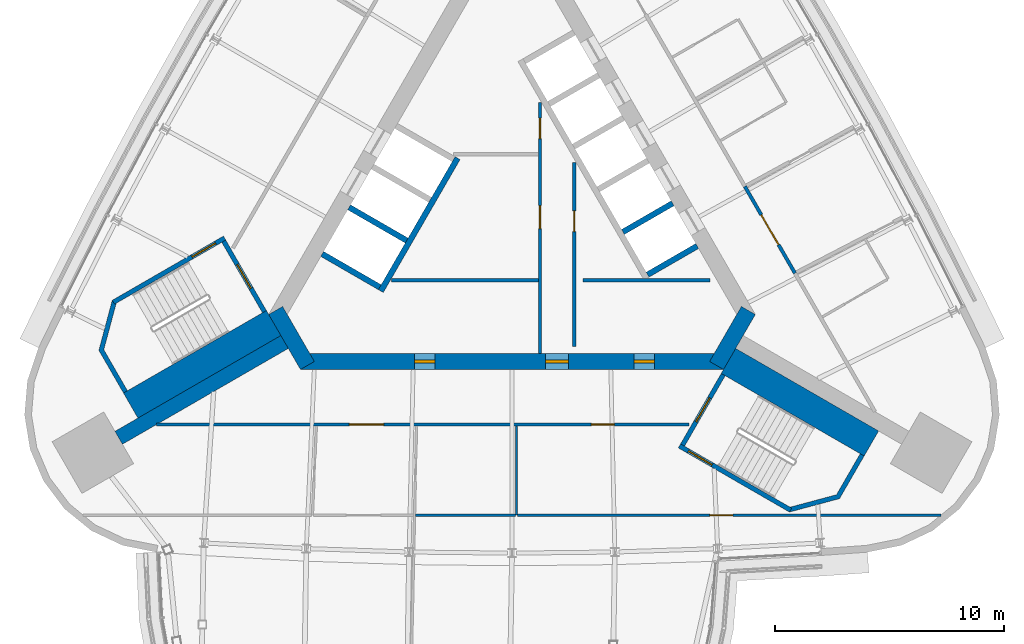
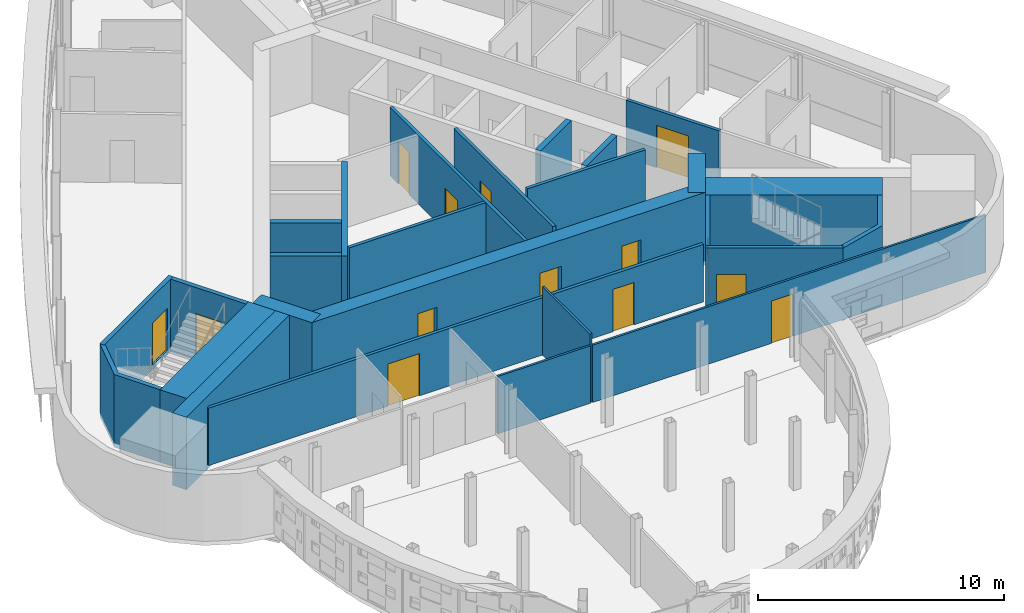
# One storey, part 9 of 14: 26 walls, 14 doors, 14 openings.
"""IFC4 building model written with IfcOpenShell, lengths in metres."""

from ifc_helpers import new_model, si_unit, direction, frame, frame_2d, origin, place, context, subcontext, project, spatial, polyline, rectangle, outline, extrude, material, layer, layer_set, type_object, element, fill, save


model = new_model("IFC4")

# Units and contexts
model_context = context("Model", 3, precision=1e-05, world=origin(), true_north=direction((0.0, 1.0)))
body_context = subcontext(model_context, "Body", "Model", "MODEL_VIEW")
ifc_project = project(units=[si_unit("LENGTHUNIT", "METRE"), si_unit("AREAUNIT", "SQUARE_METRE"), si_unit("VOLUMEUNIT", "CUBIC_METRE"), si_unit("PLANEANGLEUNIT", "RADIAN"), si_unit("MASSUNIT", "GRAM", prefix="KILO")], contexts=[model_context])

# Site, building, storey
site_placement = place(None, origin())
site = spatial("IfcSite", under=ifc_project, at=site_placement, CompositionType="ELEMENT")
building_placement = place(site_placement, origin())
building = spatial("IfcBuilding", under=site, at=building_placement, Name="Noor Cloister Tower", CompositionType="ELEMENT")
storey_placement = place(building_placement, frame((0.0, 0.0, 222.0)))
storey = spatial("IfcBuildingStorey", under=building, at=storey_placement, Name="L57", CompositionType="ELEMENT", Elevation=222.0)

# Walls
ifc_material_1 = material(Name="Concrete C60/75", Category="concrete")
ifc_layer_1 = layer(ifc_material_1, 0.64990234375)
ifc_layer_set_1 = layer_set([ifc_layer_1], Name="Buttress wall 650 C60/75")
wall_type_1 = type_object("IfcWallType", Name="Buttress wall 650 C60/75", PredefinedType="SHEAR", material=ifc_layer_set_1)
wall_1_placement = place(storey_placement, frame((-9.921630859375, -5.728271484375, -0.199951171875), z_axis=(0.0, 0.0, 1.0), x_axis=(-0.866030911543, -0.499990460161, 0.0)))
element("IfcWall", 1, at=wall_1_placement, inside=storey, type_object=wall_type_1, Name="Buttress wall SW L57", PredefinedType="SHEAR", context=body_context, shape_type="SweptSolid", body=[
    extrude(rectangle(XDim=8.358642578125, YDim=0.64990234375, at=frame_2d((4.17919921875, 0.0))), origin(), (0.0, 0.0, 1.0), 3.599853515625),
])
ifc_material_2 = material(Name="Concrete C30/37", Category="concrete")
ifc_layer_2 = layer(ifc_material_2, 0.14990234375)
ifc_layer_set_2 = layer_set([ifc_layer_2], Name="Core partition 150 C30/37")
wall_type_2 = type_object("IfcWallType", Name="Core partition 150 C30/37", PredefinedType="PARTITIONING", material=ifc_layer_set_2)
wall_2_placement = place(storey_placement, frame((-5.2578125, -3.0283203125, 0.0), z_axis=(0.0, 0.0, 1.0), x_axis=(1.0, 0.0, 0.0)))
element("IfcWall", 2, at=wall_2_placement, inside=storey, type_object=wall_type_2, Name="Core room partition L57 1", PredefinedType="PARTITIONING", context=body_context, shape_type="SweptSolid", body=[
    extrude(rectangle(XDim=6.404052734375, YDim=0.14990234375, at=frame_2d((3.2021484375, 0.0))), origin(), (0.0, 0.0, 1.0), 3.39990234375),
])

# Wall, openings, doors
wall_3_placement = place(storey_placement, frame((1.22119140625, 4.711181640625, 0.0), z_axis=(0.0, 0.0, 1.0), x_axis=(0.0, -1.0, 0.0)))
wall_3 = element("IfcWall", 3, at=wall_3_placement, inside=storey, type_object=wall_type_2, Name="Core room partition L57 3", PredefinedType="PARTITIONING", context=body_context, shape_type="SweptSolid", body=[
    extrude(rectangle(XDim=10.939453125, YDim=0.14990234375, at=frame_2d((5.4697265625, 0.0))), origin(), (0.0, 0.0, 1.0), 3.39990234375),
])
opening_1_placement = place(wall_3_placement, frame((4.4892578125, 0.0, 0.0)))
opening_1 = element("IfcOpeningElement", 4, at=opening_1_placement, cuts=wall_3, Name="Opening L57-904", PredefinedType="OPENING", context=body_context, shape_type="SweptSolid", body=[
    extrude(rectangle(XDim=1.0, YDim=2.10009765625, at=frame_2d((0.5, 1.050048828125))), frame((0.0, 0.0849609375, 0.0), z_axis=(0.0, -1.0, 0.0), x_axis=(1.0, 0.0, 0.0)), (0.0, 0.0, 1.0), 0.169921875),
])
opening_2_placement = place(wall_3_placement, frame((0.670654296875, 0.0, 0.0)))
opening_2 = element("IfcOpeningElement", 5, at=opening_2_placement, cuts=wall_3, Name="Opening L57-906", PredefinedType="OPENING", context=body_context, shape_type="SweptSolid", body=[
    extrude(rectangle(XDim=0.89990234375, YDim=2.10009765625, at=frame_2d((0.449951171875, 1.050048828125))), frame((0.0, 0.0849609375, 0.0), z_axis=(0.0, -1.0, 0.0), x_axis=(1.0, 0.0, 0.0)), (0.0, 0.0, 1.0), 0.169921875),
])
ifc_material_3 = material(Name="Steel", Category="steel")
door_type_1 = type_object("IfcDoorType", Name="Core door 1000 x 2100 FD60", OperationType="SINGLE_SWING_LEFT", PredefinedType="DOOR", material=ifc_material_3)
door_1_placement = place(opening_1_placement, origin())
door_1 = element("IfcDoor", 6, at=door_1_placement, inside=storey, type_object=door_type_1, Name="Core door 4 L57", OperationType="SINGLE_SWING_RIGHT", OverallHeight=2.10009765625, OverallWidth=1.0, PredefinedType="DOOR", context=body_context, shape_type="SweptSolid", body=[
    extrude(rectangle(XDim=1.0, YDim=2.10009765625, at=frame_2d((0.5, 1.050048828125))), frame((0.0, 0.02490234375, 0.0), z_axis=(0.0, -1.0, 0.0), x_axis=(1.0, 0.0, 0.0)), (0.0, 0.0, 1.0), 0.050048828125),
])
fill(opening_1, door_1)
ifc_material_4 = material(Name="Steel", Category="steel")
door_type_2 = type_object("IfcDoorType", Name="Core door 900 x 2100 FD120", OperationType="SINGLE_SWING_LEFT", PredefinedType="DOOR", material=ifc_material_4)
door_2_placement = place(opening_2_placement, origin())
door_2 = element("IfcDoor", 7, at=door_2_placement, inside=storey, type_object=door_type_2, Name="Core door 6 L57", OperationType="SINGLE_SWING_RIGHT", OverallHeight=2.10009765625, OverallWidth=0.89990234375, PredefinedType="DOOR", context=body_context, shape_type="SweptSolid", body=[
    extrude(rectangle(XDim=0.89990234375, YDim=2.10009765625, at=frame_2d((0.449951171875, 1.050048828125))), frame((0.0, 0.02490234375, 0.0), z_axis=(0.0, -1.0, 0.0), x_axis=(1.0, 0.0, 0.0)), (0.0, 0.0, 1.0), 0.050048828125),
])
fill(opening_2, door_2)

# Wall, opening, door
wall_4_placement = place(storey_placement, frame((2.72119140625, -5.92822265625, 0.0), z_axis=(0.0, 0.0, 1.0), x_axis=(0.0, 1.0, 0.0)))
wall_4 = element("IfcWall", 8, at=wall_4_placement, inside=storey, type_object=wall_type_2, Name="Core room partition L57 4", PredefinedType="PARTITIONING", context=body_context, shape_type="SweptSolid", body=[
    extrude(rectangle(XDim=8.041259765625, YDim=0.14990234375, at=frame_2d((4.0205078125, 0.0))), origin(), (0.0, 0.0, 1.0), 3.39990234375),
])
opening_3_placement = place(wall_4_placement, frame((5.01953125, 0.0, 0.0)))
opening_3 = element("IfcOpeningElement", 9, at=opening_3_placement, cuts=wall_4, Name="Opening L57-905", PredefinedType="OPENING", context=body_context, shape_type="SweptSolid", body=[
    extrude(rectangle(XDim=0.89990234375, YDim=2.10009765625, at=frame_2d((0.449951171875, 1.050048828125))), frame((0.0, 0.0849609375, 0.0), z_axis=(0.0, -1.0, 0.0), x_axis=(1.0, 0.0, 0.0)), (0.0, 0.0, 1.0), 0.169921875),
])
ifc_material_5 = material(Name="Steel", Category="steel")
door_type_3 = type_object("IfcDoorType", Name="Core door 900 x 2100 FD60", OperationType="SINGLE_SWING_LEFT", PredefinedType="DOOR", material=ifc_material_5)
door_3_placement = place(opening_3_placement, origin())
door_3 = element("IfcDoor", 10, at=door_3_placement, inside=storey, type_object=door_type_3, Name="Core door 5 L57", OperationType="SINGLE_SWING_LEFT", OverallHeight=2.10009765625, OverallWidth=0.89990234375, PredefinedType="DOOR", context=body_context, shape_type="SweptSolid", body=[
    extrude(rectangle(XDim=0.89990234375, YDim=2.10009765625, at=frame_2d((0.449951171875, 1.050048828125))), frame((0.0, 0.02490234375, 0.0), z_axis=(0.0, -1.0, 0.0), x_axis=(1.0, 0.0, 0.0)), (0.0, 0.0, 1.0), 0.050048828125),
])
fill(opening_3, door_3)

# Wall
wall_5_placement = place(storey_placement, frame((3.09619140625, -3.0283203125, 0.0), z_axis=(0.0, 0.0, 1.0), x_axis=(1.0, 0.0, 0.0)))
element("IfcWall", 11, at=wall_5_placement, inside=storey, type_object=wall_type_2, Name="Core room partition L57 5", PredefinedType="PARTITIONING", context=body_context, shape_type="SweptSolid", body=[
    extrude(rectangle(XDim=5.543701171875, YDim=0.14990234375, at=frame_2d((2.77197265625, 0.0))), origin(), (0.0, 0.0, 1.0), 3.39990234375),
])

# Wall, openings, doors
ifc_material_6 = material(Name="Concrete C60/75", Category="concrete")
ifc_layer_3 = layer(ifc_material_6, 0.699951171875)
ifc_layer_set_3 = layer_set([ifc_layer_3], Name="Core wall 700 C60/75")
wall_type_3 = type_object("IfcWallType", Name="Core wall 700 C60/75", PredefinedType="SHEAR", material=ifc_layer_set_3)
wall_6_placement = place(storey_placement, frame((-9.228759765625, -6.578125, -0.199951171875), z_axis=(0.0, 0.0, 1.0), x_axis=(1.0, 0.0, 0.0)))
wall_6 = element("IfcWall", 12, at=wall_6_placement, inside=storey, type_object=wall_type_3, Name="Core wall L57 1", PredefinedType="SHEAR", context=body_context, shape_type="SweptSolid", body=[
    extrude(rectangle(XDim=18.45751953125, YDim=0.699951171875, at=frame_2d((9.228759765625, 0.0))), origin(), (0.0, 0.0, 1.0), 3.599853515625),
])
opening_4_placement = place(wall_6_placement, frame((10.699951171875, 0.0, 0.199951171875)))
opening_4 = element("IfcOpeningElement", 13, at=opening_4_placement, cuts=wall_6, Name="Opening L57-901", PredefinedType="OPENING", context=body_context, shape_type="SweptSolid", body=[
    extrude(rectangle(XDim=1.0, YDim=2.10009765625, at=frame_2d((0.5, 1.050048828125))), frame((0.0, 0.35986328125, 0.0), z_axis=(0.0, -1.0, 0.0), x_axis=(1.0, 0.0, 0.0)), (0.0, 0.0, 1.0), 0.719970703125),
])
opening_5_placement = place(wall_6_placement, frame((4.97705078125, 0.0, 0.199951171875)))
opening_5 = element("IfcOpeningElement", 14, at=opening_5_placement, cuts=wall_6, Name="Opening L57-902", PredefinedType="OPENING", context=body_context, shape_type="SweptSolid", body=[
    extrude(rectangle(XDim=0.89990234375, YDim=2.10009765625, at=frame_2d((0.449951171875, 1.050048828125))), frame((0.0, 0.35986328125, 0.0), z_axis=(0.0, -1.0, 0.0), x_axis=(1.0, 0.0, 0.0)), (0.0, 0.0, 1.0), 0.719970703125),
])
opening_6_placement = place(wall_6_placement, frame((14.551513671875, 0.0, 0.199951171875)))
opening_6 = element("IfcOpeningElement", 15, at=opening_6_placement, cuts=wall_6, Name="Opening L57-903", PredefinedType="OPENING", context=body_context, shape_type="SweptSolid", body=[
    extrude(rectangle(XDim=0.89990234375, YDim=2.10009765625, at=frame_2d((0.449951171875, 1.050048828125))), frame((0.0, 0.35986328125, 0.0), z_axis=(0.0, -1.0, 0.0), x_axis=(1.0, 0.0, 0.0)), (0.0, 0.0, 1.0), 0.719970703125),
])
ifc_material_7 = material(Name="Steel", Category="steel")
door_type_4 = type_object("IfcDoorType", Name="Core door 1000 x 2100 FD120", OperationType="SINGLE_SWING_LEFT", PredefinedType="DOOR", material=ifc_material_7)
door_4_placement = place(opening_4_placement, origin())
door_4 = element("IfcDoor", 16, at=door_4_placement, inside=storey, type_object=door_type_4, Name="Core door 1 L57", OperationType="SINGLE_SWING_LEFT", OverallHeight=2.10009765625, OverallWidth=1.0, PredefinedType="DOOR", context=body_context, shape_type="SweptSolid", body=[
    extrude(rectangle(XDim=1.0, YDim=2.10009765625, at=frame_2d((0.5, 1.050048828125))), frame((0.0, 0.074951171875, 0.0), z_axis=(0.0, -1.0, 0.0), x_axis=(1.0, 0.0, 0.0)), (0.0, 0.0, 1.0), 0.14990234375),
])
fill(opening_4, door_4)
door_5_placement = place(opening_5_placement, origin())
door_5 = element("IfcDoor", 17, at=door_5_placement, inside=storey, type_object=door_type_2, Name="Core door 2 L57", OperationType="SINGLE_SWING_RIGHT", OverallHeight=2.10009765625, OverallWidth=0.89990234375, PredefinedType="DOOR", context=body_context, shape_type="SweptSolid", body=[
    extrude(rectangle(XDim=0.89990234375, YDim=2.10009765625, at=frame_2d((0.449951171875, 1.050048828125))), frame((0.0, 0.074951171875, 0.0), z_axis=(0.0, -1.0, 0.0), x_axis=(1.0, 0.0, 0.0)), (0.0, 0.0, 1.0), 0.14990234375),
])
fill(opening_5, door_5)
door_6_placement = place(opening_6_placement, origin())
door_6 = element("IfcDoor", 18, at=door_6_placement, inside=storey, type_object=door_type_2, Name="Core door 3 L57", OperationType="SINGLE_SWING_LEFT", OverallHeight=2.10009765625, OverallWidth=0.89990234375, PredefinedType="DOOR", context=body_context, shape_type="SweptSolid", body=[
    extrude(rectangle(XDim=0.89990234375, YDim=2.10009765625, at=frame_2d((0.449951171875, 1.050048828125))), frame((0.0, 0.074951171875, 0.0), z_axis=(0.0, -1.0, 0.0), x_axis=(1.0, 0.0, 0.0)), (0.0, 0.0, 1.0), 0.14990234375),
])
fill(opening_6, door_6)

# Walls
for number, where, z_axis, x_axis, name in (
    (19, (8.925537109375, -6.753173828125, -0.199951171875), (0.0, 0.0, 1.0), (0.500042739161, 0.866000726912, 0.0), "Core wall L57 2"),
    (20, (-10.311279296875, -4.353271484375, -0.199951171875), (0.0, 0.0, 1.0), (0.500042739161, -0.866000726912, 0.0), "Core wall L57 6"),
):
    element("IfcWall", number, at=place(storey_placement, frame(where, z_axis=z_axis, x_axis=x_axis)), inside=storey, type_object=wall_type_3, Name=name, PredefinedType="SHEAR", context=body_context, shape_type="SweptSolid", body=[
        extrude(rectangle(XDim=2.771240234375, YDim=0.699951171875, at=frame_2d((1.3857421875, 0.0))), origin(), (0.0, 0.0, 1.0), 3.599853515625),
    ])

# Wall, opening, door
ifc_material_8 = material(Name="Gypsum board partition on steel studs, 150 mm", Category="steel")
ifc_layer_4 = layer(ifc_material_8, 0.14990234375)
ifc_layer_set_4 = layer_set([ifc_layer_4], Name="Flat wall 150")
wall_type_4 = type_object("IfcWallType", Name="Flat wall 150", PredefinedType="PARTITIONING", material=ifc_layer_set_4)
wall_7_placement = place(storey_placement, frame((12.3447265625, -2.725341796875, 0.0), z_axis=(0.0, 0.0, 1.0), x_axis=(-0.49999822179, 0.866026430432, 0.0)))
wall_7 = element("IfcWall", 21, at=wall_7_placement, inside=storey, type_object=wall_type_4, Name="Wall L57-W05", PredefinedType="PARTITIONING", context=body_context, shape_type="SweptSolid", body=[
    extrude(rectangle(XDim=4.3681640625, YDim=0.14990234375, at=frame_2d((2.18408203125, 0.0))), origin(), (0.0, 0.0, 1.0), 2.85205078125),
])
opening_7_placement = place(wall_7_placement, frame((1.434326171875, 0.0, 0.0)))
opening_7 = element("IfcOpeningElement", 22, at=opening_7_placement, cuts=wall_7, Name="Opening L57-001", PredefinedType="OPENING", context=body_context, shape_type="SweptSolid", body=[
    extrude(rectangle(XDim=1.5, YDim=2.10009765625, at=frame_2d((0.75, 1.050048828125))), frame((0.0, 0.0849609375, 0.0), z_axis=(0.0, -1.0, 0.0), x_axis=(1.0, 0.0, 0.0)), (0.0, 0.0, 1.0), 0.169921875),
])
ifc_material_9 = material(Name="Timber door leaf with steel frame", Category="steel")
door_type_5 = type_object("IfcDoorType", Name="Double door 1500 FD60", OperationType="NOTDEFINED", PredefinedType="DOOR", material=ifc_material_9)
door_7_placement = place(opening_7_placement, origin())
door_7 = element("IfcDoor", 23, at=door_7_placement, inside=storey, type_object=door_type_5, Name="Door L57-001", OperationType="DOUBLE_DOOR_SINGLE_SWING", OverallHeight=2.10009765625, OverallWidth=1.5, PredefinedType="DOOR", context=body_context, shape_type="SweptSolid", body=[
    extrude(rectangle(XDim=1.5, YDim=2.10009765625, at=frame_2d((0.75, 1.050048828125))), frame((0.0, 0.02490234375, 0.0), z_axis=(0.0, -1.0, 0.0), x_axis=(1.0, 0.0, 0.0)), (0.0, 0.0, 1.0), 0.050048828125),
])
fill(opening_7, door_7)

# Wall, openings, doors
wall_8_placement = place(storey_placement, frame((-15.5068359375, -9.328125, 0.0), z_axis=(0.0, 0.0, 1.0), x_axis=(1.0, 0.0, 0.0)))
wall_8 = element("IfcWall", 24, at=wall_8_placement, inside=storey, type_object=wall_type_4, Name="Wall L57-W13", PredefinedType="PARTITIONING", context=body_context, shape_type="SweptSolid", body=[
    extrude(rectangle(XDim=23.234375, YDim=0.14990234375, at=frame_2d((11.6171875, 0.0))), origin(), (0.0, 0.0, 1.0), 2.85205078125),
])
opening_8_placement = place(wall_8_placement, frame((8.408447265625, 0.0, 0.0)))
opening_8 = element("IfcOpeningElement", 25, at=opening_8_placement, cuts=wall_8, Name="Opening L57-008", PredefinedType="OPENING", context=body_context, shape_type="SweptSolid", body=[
    extrude(rectangle(XDim=1.5, YDim=2.10009765625, at=frame_2d((0.75, 1.050048828125))), frame((0.0, 0.0849609375, 0.0), z_axis=(0.0, -1.0, 0.0), x_axis=(1.0, 0.0, 0.0)), (0.0, 0.0, 1.0), 0.169921875),
])
opening_9_placement = place(wall_8_placement, frame((18.970703125, 0.0, 0.0)))
opening_9 = element("IfcOpeningElement", 26, at=opening_9_placement, cuts=wall_8, Name="Opening L57-012", PredefinedType="OPENING", context=body_context, shape_type="SweptSolid", body=[
    extrude(rectangle(XDim=1.0, YDim=2.10009765625, at=frame_2d((0.5, 1.050048828125))), frame((0.0, 0.0849609375, 0.0), z_axis=(0.0, -1.0, 0.0), x_axis=(1.0, 0.0, 0.0)), (0.0, 0.0, 1.0), 0.169921875),
])
door_8_placement = place(opening_8_placement, origin())
door_8 = element("IfcDoor", 27, at=door_8_placement, inside=storey, type_object=door_type_5, Name="Door L57-008", OperationType="DOUBLE_DOOR_SINGLE_SWING", OverallHeight=2.10009765625, OverallWidth=1.5, PredefinedType="DOOR", context=body_context, shape_type="SweptSolid", body=[
    extrude(rectangle(XDim=1.5, YDim=2.10009765625, at=frame_2d((0.75, 1.050048828125))), frame((0.0, 0.02490234375, 0.0), z_axis=(0.0, -1.0, 0.0), x_axis=(1.0, 0.0, 0.0)), (0.0, 0.0, 1.0), 0.050048828125),
])
fill(opening_8, door_8)
ifc_material_10 = material(Name="Timber door leaf with steel frame", Category="steel")
door_type_6 = type_object("IfcDoorType", Name="Interior door 1000 FD60", OperationType="NOTDEFINED", PredefinedType="DOOR", material=ifc_material_10)
door_9_placement = place(opening_9_placement, origin())
door_9 = element("IfcDoor", 28, at=door_9_placement, inside=storey, type_object=door_type_6, Name="Door L57-012", OperationType="SINGLE_SWING_RIGHT", OverallHeight=2.10009765625, OverallWidth=1.0, PredefinedType="DOOR", context=body_context, shape_type="SweptSolid", body=[
    extrude(rectangle(XDim=1.0, YDim=2.10009765625, at=frame_2d((0.5, 1.050048828125))), frame((0.0, 0.02490234375, 0.0), z_axis=(0.0, -1.0, 0.0), x_axis=(1.0, 0.0, 0.0)), (0.0, 0.0, 1.0), 0.050048828125),
])
fill(opening_9, door_9)

# Walls
ifc_material_11 = material(Name="Gypsum board partition on steel studs, 100 mm", Category="steel")
ifc_layer_5 = layer(ifc_material_11, 0.10009765625)
ifc_layer_set_5 = layer_set([ifc_layer_5], Name="Partition 100")
wall_type_5 = type_object("IfcWallType", Name="Partition 100", PredefinedType="PARTITIONING", material=ifc_layer_set_5)
wall_9_placement = place(storey_placement, frame((0.199951171875, -9.4033203125, 0.0), z_axis=(0.0, 0.0, 1.0), x_axis=(0.0, -1.0, 0.0)))
element("IfcWall", 29, at=wall_9_placement, inside=storey, type_object=wall_type_5, Name="Wall L57-W16", PredefinedType="PARTITIONING", context=body_context, shape_type="SweptSolid", body=[
    extrude(rectangle(XDim=3.879150390625, YDim=0.10009765625, at=frame_2d((1.939453125, 0.0))), origin(), (0.0, 0.0, 1.0), 3.39990234375),
])
wall_10_placement = place(storey_placement, frame((-4.201904296875, -13.282470703125, 0.0), z_axis=(0.0, 0.0, 1.0), x_axis=(1.0, 0.0, 0.0)))
element("IfcWall", 30, at=wall_10_placement, inside=storey, type_object=wall_type_5, Name="Wall L57-W19", PredefinedType="PARTITIONING", context=body_context, shape_type="SweptSolid", body=[
    extrude(rectangle(XDim=4.351806640625, YDim=0.10009765625, at=frame_2d((2.17578125, 0.0))), origin(), (0.0, 0.0, 1.0), 2.85205078125),
])

# Wall, opening, door
wall_11_placement = place(storey_placement, frame((0.25, -13.282470703125, 0.0), z_axis=(0.0, 0.0, 1.0), x_axis=(1.0, 0.0, 0.0)))
wall_11 = element("IfcWall", 31, at=wall_11_placement, inside=storey, type_object=wall_type_5, Name="Wall L57-W20", PredefinedType="PARTITIONING", context=body_context, shape_type="SweptSolid", body=[
    extrude(rectangle(XDim=18.458740234375, YDim=0.10009765625, at=frame_2d((9.2294921875, 0.0))), origin(), (0.0, 0.0, 1.0), 2.85205078125),
])
opening_10_placement = place(wall_11_placement, frame((8.387451171875, 0.0, 0.0)))
opening_10 = element("IfcOpeningElement", 32, at=opening_10_placement, cuts=wall_11, Name="Opening L57-013", PredefinedType="OPENING", context=body_context, shape_type="SweptSolid", body=[
    extrude(rectangle(XDim=1.0, YDim=2.10009765625, at=frame_2d((0.5, 1.050048828125))), frame((0.0, 0.06005859375, 0.0), z_axis=(0.0, -1.0, 0.0), x_axis=(1.0, 0.0, 0.0)), (0.0, 0.0, 1.0), 0.1201171875),
])
ifc_material_12 = material(Name="Timber door leaf with steel frame", Category="steel")
door_type_7 = type_object("IfcDoorType", Name="Interior door 1000", OperationType="NOTDEFINED", PredefinedType="DOOR", material=ifc_material_12)
door_10_placement = place(opening_10_placement, origin())
door_10 = element("IfcDoor", 33, at=door_10_placement, inside=storey, type_object=door_type_7, Name="Door L57-013", OperationType="SINGLE_SWING_LEFT", OverallHeight=2.10009765625, OverallWidth=1.0, PredefinedType="DOOR", context=body_context, shape_type="SweptSolid", body=[
    extrude(rectangle(XDim=1.0, YDim=2.10009765625, at=frame_2d((0.5, 1.050048828125))), frame((0.0, 0.02490234375, 0.0), z_axis=(0.0, -1.0, 0.0), x_axis=(1.0, 0.0, 0.0)), (0.0, 0.0, 1.0), 0.050048828125),
])
fill(opening_10, door_10)

# Walls
ifc_material_13 = material(Name="Concrete C60/75", Category="concrete")
ifc_layer_6 = layer(ifc_material_13, 0.25)
ifc_layer_set_6 = layer_set([ifc_layer_6], Name="Shaft wall 250 C60/75")
wall_type_6 = type_object("IfcWallType", Name="Shaft wall 250 C60/75", PredefinedType="PARTITIONING", material=ifc_layer_set_6)
for number, where, z_axis, x_axis, name in (
    (34, (8.081298828125, -1.540771484375, -0.199951171875), (0.0, 0.0, 1.0), (-0.866022959057, -0.500004234368, 0.0), "Lift shaft wall L57 NE 1"),
    (35, (7.00634765625, 0.3212890625, -0.199951171875), (0.0, 0.0, 1.0), (-0.866022959057, -0.500004234368, 0.0), "Lift shaft wall L57 NE 2"),
):
    element("IfcWall", number, at=place(storey_placement, frame(where, z_axis=z_axis, x_axis=x_axis)), inside=storey, type_object=wall_type_6, Name=name, PredefinedType="PARTITIONING", context=body_context, shape_type="SweptSolid", body=[
        extrude(rectangle(XDim=2.5, YDim=0.25, at=frame_2d((1.25, 0.0))), origin(), (0.0, 0.0, 1.0), 3.599853515625),
    ])
for number, where, z_axis, x_axis, name in (
    (36, (-7.106201171875, 0.14794921875, -0.199951171875), (0.0, 0.0, 1.0), (0.866032775405, -0.499987231761, 0.0), "Lift shaft wall L57 NW 5"),
    (37, (-8.28125, -1.88720703125, -0.199951171875), (0.0, 0.0, 1.0), (0.866032775405, -0.499987231761, 0.0), "Lift shaft wall L57 NW 6"),
):
    element("IfcWall", number, at=place(storey_placement, frame(where, z_axis=z_axis, x_axis=x_axis)), inside=storey, type_object=wall_type_6, Name=name, PredefinedType="PARTITIONING", context=body_context, shape_type="SweptSolid", body=[
        extrude(rectangle(XDim=2.89990234375, YDim=0.25, at=frame_2d((1.449951171875, 0.0))), origin(), (0.0, 0.0, 1.0), 3.599853515625),
    ])
wall_12_placement = place(storey_placement, frame((-2.3740234375, 2.29443359375, 0.0), z_axis=(0.0, 0.0, 1.0), x_axis=(-0.500003174267, -0.866023571113, 0.0)))
element("IfcWall", 38, at=wall_12_placement, inside=storey, type_object=wall_type_6, Name="Lift shaft back wall L57 NW", PredefinedType="PARTITIONING", context=body_context, shape_type="SweptSolid", body=[
    extrude(rectangle(XDim=6.7001953125, YDim=0.25, at=frame_2d((3.35009765625, 0.0))), origin(), (0.0, 0.0, 1.0), 3.39990234375),
])
ifc_material_14 = material(Name="Concrete C60/75", Category="concrete")
ifc_layer_7 = layer(ifc_material_14, 1.260986328125)
ifc_layer_set_7 = layer_set([ifc_layer_7], Name="Stair enclosure wall 1261 C60/75")
wall_type_7 = type_object("IfcWallType", Name="Stair enclosure wall 1261 C60/75", PredefinedType="SHEAR", material=ifc_layer_set_7)
for number, where, z_axis, x_axis, name in (
    (39, (-10.399169921875, -4.90087890625, -0.199951171875), (0.0, 0.0, 1.0), (-0.866018442252, -0.500012057535, 0.0), "Stair enclosure wall ST2 L57 riser side"),
    (40, (9.44384765625, -6.555419921875, -0.199951171875), (0.0, 0.0, 1.0), (0.866018442252, -0.500012057535, 0.0), "Stair enclosure wall ST3 L57 riser side"),
):
    element("IfcWall", number, at=place(storey_placement, frame(where, z_axis=z_axis, x_axis=x_axis)), inside=storey, type_object=wall_type_7, Name=name, PredefinedType="SHEAR", context=body_context, shape_type="SweptSolid", body=[
        extrude(rectangle(XDim=7.199951171875, YDim=1.2607421875, at=frame_2d((3.60009765625, 0.0))), origin(), (0.0, 0.0, 1.0), 3.599853515625),
    ])

# Wall, opening, door
ifc_material_15 = material(Name="Concrete C60/75", Category="concrete")
ifc_layer_8 = layer(ifc_material_15, 0.199951171875)
ifc_layer_set_8 = layer_set([ifc_layer_8], Name="Stair enclosure wall 200 C60/75")
wall_type_8 = type_object("IfcWallType", Name="Stair enclosure wall 200 C60/75", PredefinedType="SHEAR", material=ifc_layer_set_8)
wall_13_placement = place(storey_placement, frame((-12.575927734375, -1.33056640625, -0.199951171875), z_axis=(0.0, 0.0, 1.0), x_axis=(0.499970499736, -0.8660424351, 0.0)))
wall_13 = element("IfcWall", 41, at=wall_13_placement, inside=storey, type_object=wall_type_8, Name="Stair enclosure wall ST2 L57 near end", PredefinedType="SHEAR", context=body_context, shape_type="SweptSolid", body=[
    extrude(rectangle(XDim=3.550048828125, YDim=0.199951171875, at=frame_2d((1.77490234375, 0.0))), origin(), (0.0, 0.0, 1.0), 3.599853515625),
])
opening_11_placement = place(wall_13_placement, frame((1.175048828125, 0.0, 0.199951171875)))
opening_11 = element("IfcOpeningElement", 42, at=opening_11_placement, cuts=wall_13, Name="Opening L57-ST2L", PredefinedType="OPENING", context=body_context, shape_type="SweptSolid", body=[
    extrude(rectangle(XDim=1.199951171875, YDim=2.10009765625, at=frame_2d((0.60009765625, 1.050048828125))), frame((0.0, 0.10986328125, 0.0), z_axis=(0.0, -1.0, 0.0), x_axis=(1.0, 0.0, 0.0)), (0.0, 0.0, 1.0), 0.219970703125),
])
ifc_material_16 = material(Name="Steel", Category="steel")
door_type_8 = type_object("IfcDoorType", Name="Stair door 1200 x 2100 FD120", OperationType="SINGLE_SWING_LEFT", PredefinedType="DOOR", material=ifc_material_16)
door_11_placement = place(opening_11_placement, origin())
door_11 = element("IfcDoor", 43, at=door_11_placement, inside=storey, type_object=door_type_8, Name="Stair door ST2 L57", OperationType="SINGLE_SWING_RIGHT", OverallHeight=2.10009765625, OverallWidth=1.199951171875, PredefinedType="DOOR", context=body_context, shape_type="SweptSolid", body=[
    extrude(rectangle(XDim=1.199951171875, YDim=2.10009765625, at=frame_2d((0.60009765625, 1.050048828125))), frame((0.0, 0.02490234375, 0.0), z_axis=(0.0, -1.0, 0.0), x_axis=(1.0, 0.0, 0.0)), (0.0, 0.0, 1.0), 0.050048828125),
])
fill(opening_11, door_11)

wall_14_placement = place(storey_placement, frame((-12.539306640625, -1.194091796875, -0.199951171875), z_axis=(0.0, 0.0, 1.0), x_axis=(-0.866045472092, -0.499965239061, 0.0)))
wall_14 = element("IfcWall", 44, at=wall_14_placement, inside=storey, type_object=wall_type_8, Name="Stair enclosure wall ST2 L57 outer side", PredefinedType="SHEAR", context=body_context, shape_type="SweptSolid", body=[
    extrude(rectangle(XDim=5.60009765625, YDim=0.199951171875, at=frame_2d((2.800048828125, 0.0))), origin(), (0.0, 0.0, 1.0), 3.599853515625),
])
opening_12_placement = place(wall_14_placement, frame((0.449951171875, 0.0, 0.199951171875)))
opening_12 = element("IfcOpeningElement", 45, at=opening_12_placement, cuts=wall_14, Name="Opening L57-ST2C", PredefinedType="OPENING", context=body_context, shape_type="SweptSolid", body=[
    extrude(rectangle(XDim=1.199951171875, YDim=2.10009765625, at=frame_2d((0.60009765625, 1.050048828125))), frame((0.0, 0.10986328125, 0.0), z_axis=(0.0, -1.0, 0.0), x_axis=(1.0, 0.0, 0.0)), (0.0, 0.0, 1.0), 0.219970703125),
])
door_12_placement = place(opening_12_placement, origin())
door_12 = element("IfcDoor", 46, at=door_12_placement, inside=storey, type_object=door_type_8, Name="Stair door ST2 L57", OperationType="SINGLE_SWING_LEFT", OverallHeight=2.10009765625, OverallWidth=1.199951171875, PredefinedType="DOOR", context=body_context, shape_type="SweptSolid", body=[
    extrude(rectangle(XDim=1.199951171875, YDim=2.10009765625, at=frame_2d((0.60009765625, 1.050048828125))), frame((0.0, 0.02490234375, 0.0), z_axis=(0.0, -1.0, 0.0), x_axis=(1.0, 0.0, 0.0)), (0.0, 0.0, 1.0), 0.050048828125),
])
fill(opening_12, door_12)

wall_15_placement = place(storey_placement, frame((7.440185546875, -10.225830078125, -0.199951171875), z_axis=(0.0, 0.0, 1.0), x_axis=(0.500022077904, 0.866012656725, 0.0)))
wall_15 = element("IfcWall", 47, at=wall_15_placement, inside=storey, type_object=wall_type_8, Name="Stair enclosure wall ST3 L57 near end", PredefinedType="SHEAR", context=body_context, shape_type="SweptSolid", body=[
    extrude(rectangle(XDim=3.550048828125, YDim=0.199951171875, at=frame_2d((1.77490234375, 0.0))), origin(), (0.0, 0.0, 1.0), 3.599853515625),
])
opening_13_placement = place(wall_15_placement, frame((1.175048828125, 0.0, 0.199951171875)))
opening_13 = element("IfcOpeningElement", 48, at=opening_13_placement, cuts=wall_15, Name="Opening L57-ST3L", PredefinedType="OPENING", context=body_context, shape_type="SweptSolid", body=[
    extrude(rectangle(XDim=1.199951171875, YDim=2.10009765625, at=frame_2d((0.60009765625, 1.050048828125))), frame((0.0, 0.10986328125, 0.0), z_axis=(0.0, -1.0, 0.0), x_axis=(1.0, 0.0, 0.0)), (0.0, 0.0, 1.0), 0.219970703125),
])
door_13_placement = place(opening_13_placement, origin())
door_13 = element("IfcDoor", 49, at=door_13_placement, inside=storey, type_object=door_type_8, Name="Stair door ST3 L57", OperationType="SINGLE_SWING_RIGHT", OverallHeight=2.10009765625, OverallWidth=1.199951171875, PredefinedType="DOOR", context=body_context, shape_type="SweptSolid", body=[
    extrude(rectangle(XDim=1.199951171875, YDim=2.10009765625, at=frame_2d((0.60009765625, 1.050048828125))), frame((0.0, 0.02490234375, 0.0), z_axis=(0.0, -1.0, 0.0), x_axis=(1.0, 0.0, 0.0)), (0.0, 0.0, 1.0), 0.050048828125),
])
fill(opening_13, door_13)

wall_16_placement = place(storey_placement, frame((7.3037109375, -10.262451171875, -0.199951171875), z_axis=(0.0, 0.0, 1.0), x_axis=(0.866026594901, -0.49999793692, 0.0)))
wall_16 = element("IfcWall", 50, at=wall_16_placement, inside=storey, type_object=wall_type_8, Name="Stair enclosure wall ST3 L57 outer side", PredefinedType="SHEAR", context=body_context, shape_type="SweptSolid", body=[
    extrude(rectangle(XDim=5.60009765625, YDim=0.199951171875, at=frame_2d((2.800048828125, 0.0))), origin(), (0.0, 0.0, 1.0), 3.599853515625),
])
opening_14_placement = place(wall_16_placement, frame((0.449951171875, 0.0, 0.199951171875)))
opening_14 = element("IfcOpeningElement", 51, at=opening_14_placement, cuts=wall_16, Name="Opening L57-ST3C", PredefinedType="OPENING", context=body_context, shape_type="SweptSolid", body=[
    extrude(rectangle(XDim=1.199951171875, YDim=2.10009765625, at=frame_2d((0.60009765625, 1.050048828125))), frame((0.0, 0.10986328125, 0.0), z_axis=(0.0, -1.0, 0.0), x_axis=(1.0, 0.0, 0.0)), (0.0, 0.0, 1.0), 0.219970703125),
])
door_14_placement = place(opening_14_placement, origin())
door_14 = element("IfcDoor", 52, at=door_14_placement, inside=storey, type_object=door_type_8, Name="Stair door ST3 L57", OperationType="SINGLE_SWING_LEFT", OverallHeight=2.10009765625, OverallWidth=1.199951171875, PredefinedType="DOOR", context=body_context, shape_type="SweptSolid", body=[
    extrude(rectangle(XDim=1.199951171875, YDim=2.10009765625, at=frame_2d((0.60009765625, 1.050048828125))), frame((0.0, 0.02490234375, 0.0), z_axis=(0.0, -1.0, 0.0), x_axis=(1.0, 0.0, 0.0)), (0.0, 0.0, 1.0), 0.050048828125),
])
fill(opening_14, door_14)

# Walls
ifc_material_17 = material(Name="Concrete C60/75", Category="concrete")
wall_type_9 = type_object("IfcWallType", Name="Stair far end wall C60/75", PredefinedType="SHEAR", material=ifc_material_17)
wall_17_placement = place(storey_placement, frame((0.0, 0.0, -0.199951171875)))
element("IfcWall", 53, at=wall_17_placement, inside=storey, type_object=wall_type_9, Name="Stair enclosure wall ST2 L57 far end", PredefinedType="SHEAR", context=body_context, shape_type="SweptSolid", body=[
    extrude(outline(polyline([(-17.439208984375, -3.907470703125), (-18.024658203125, -6.093017578125), (-16.94970703125, -7.955078125), (-16.776611328125, -7.85498046875), (-17.81005859375, -6.064697265625), (-17.267333984375, -4.039306640625), (-17.339111328125, -4.08056640625), (-17.339111328125, -4.08056640625), (-17.339111328125, -4.08056640625), (-17.339111328125, -4.08056640625), (-17.339111328125, -4.08056640625), (-17.339111328125, -4.08056640625), (-17.339111328125, -4.08056640625), (-17.339111328125, -4.08056640625), (-17.339111328125, -4.08056640625), (-17.339111328125, -4.08056640625), (-17.339111328125, -4.08056640625), (-17.339111328125, -4.08056640625), (-17.339111328125, -4.08056640625), (-17.339111328125, -4.08056640625), (-17.339111328125, -4.08056640625), (-17.339111328125, -4.08056640625), (-17.339111328125, -4.08056640625), (-17.439208984375, -3.907470703125)])), origin(), (0.0, 0.0, 1.0), 3.599853515625),
])
wall_18_placement = place(storey_placement, frame((0.0, 0.0, -0.199951171875)))
element("IfcWall", 54, at=wall_18_placement, inside=storey, type_object=wall_type_9, Name="Stair enclosure wall ST3 L57 far end", PredefinedType="SHEAR", context=body_context, shape_type="SweptSolid", body=[
    extrude(outline(polyline([(12.103515625, -13.14892578125), (14.2890625, -12.5634765625), (15.364013671875, -10.701416015625), (15.19091796875, -10.601318359375), (14.1572265625, -12.3916015625), (12.131591796875, -12.934326171875), (12.20361328125, -12.975830078125), (12.20361328125, -12.975830078125), (12.20361328125, -12.975830078125), (12.20361328125, -12.975830078125), (12.20361328125, -12.975830078125), (12.20361328125, -12.975830078125), (12.20361328125, -12.975830078125), (12.20361328125, -12.975830078125), (12.20361328125, -12.975830078125), (12.20361328125, -12.975830078125), (12.20361328125, -12.975830078125), (12.20361328125, -12.975830078125), (12.20361328125, -12.975830078125), (12.20361328125, -12.975830078125), (12.20361328125, -12.975830078125), (12.20361328125, -12.975830078125), (12.20361328125, -12.975830078125), (12.103515625, -13.14892578125)])), origin(), (0.0, 0.0, 1.0), 3.599853515625),
])

save(model, "model.ifc")
